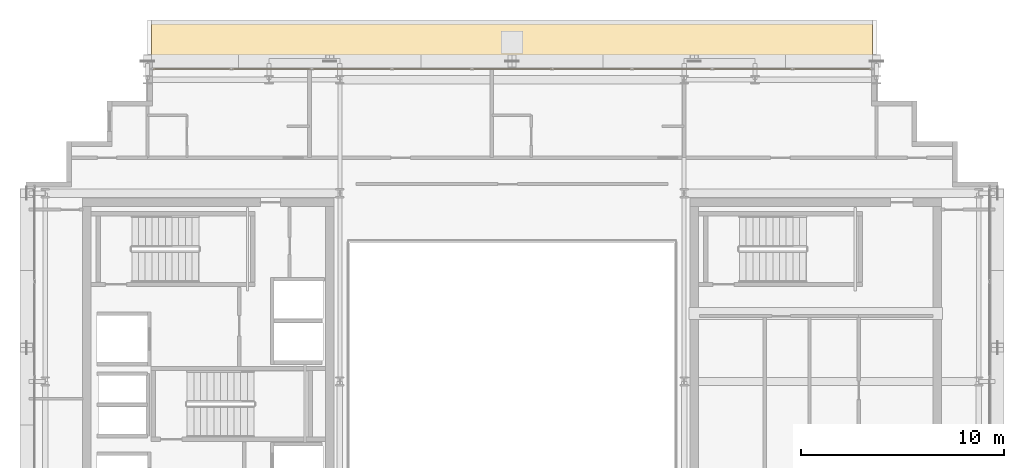
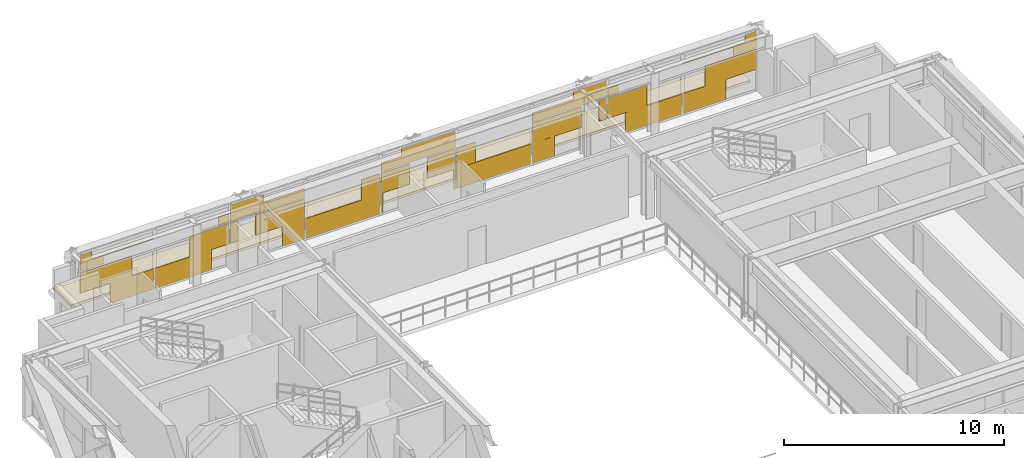
# One storey, part 27 of 27: 2 coverings.
"""IFC4 building model written with IfcOpenShell, lengths in metres."""

from ifc_helpers import new_model, si_unit, direction, frame, origin, origin_2d, place, context, subcontext, project, spatial, polyline, rectangle, outline, extrude, material, layer, layer_set, type_object, element, save


model = new_model("IFC4")

# Units and contexts
model_context = context("Model", 3, precision=1e-05, world=origin(), true_north=direction((0.0, 1.0)))
body_context = subcontext(model_context, "Body", "Model", "MODEL_VIEW")
ifc_project = project(units=[si_unit("LENGTHUNIT", "METRE"), si_unit("AREAUNIT", "SQUARE_METRE"), si_unit("VOLUMEUNIT", "CUBIC_METRE"), si_unit("PLANEANGLEUNIT", "RADIAN"), si_unit("MASSUNIT", "GRAM", prefix="KILO")], contexts=[model_context])

# Site, building, storey
site_placement = place(None, origin())
site = spatial("IfcSite", under=ifc_project, at=site_placement, CompositionType="ELEMENT")
building_placement = place(site_placement, origin())
building = spatial("IfcBuilding", under=site, at=building_placement, Name="Ocotamira Hotel", CompositionType="ELEMENT")
storey_placement = place(building_placement, frame((0.0, 0.0, 232.800048828125)))
storey = spatial("IfcBuildingStorey", under=building, at=storey_placement, Name="L58", CompositionType="ELEMENT", Elevation=232.800048828125)

# Coverings
ifc_material_1 = material(Name="Insulated pale-metal aluminium spandrel panel", Category="aluminium")
ifc_layer_1 = layer(ifc_material_1, 0.044921875)
ifc_layer_set_1 = layer_set([ifc_layer_1], Name="Insulated pale-metal aluminium spandrel panel")
covering_type_1 = type_object("IfcCoveringType", Name="COV-INFILL-45", PredefinedType="CLADDING", material=ifc_layer_set_1)
covering_1_placement = place(storey_placement, origin())
element("IfcCovering", 1, at=covering_1_placement, inside=storey, type_object=covering_type_1, Name="L58 Curtain Wall Infill CW-5 CW-L58-N", PredefinedType="CLADDING", context=body_context, shape_type="SweptSolid", body=[
    extrude(rectangle(XDim=2.69970703125, YDim=0.044921875, at=origin_2d()), frame((15.63037109375, 43.580078125, 1.19384765625), z_axis=(0.0, 0.0, 1.0), x_axis=(1.0, 0.0, 0.0)), (0.0, 0.0, 1.0), 1.117919921875),
    extrude(rectangle(XDim=2.25439453125, YDim=0.044921875, at=origin_2d()), frame((16.98779296875, 43.580078125, 0.0751953125), z_axis=(0.0, 0.0, 1.0), x_axis=(1.0, 0.0, 0.0)), (0.0, 0.0, 1.0), 1.117919921875),
    extrude(rectangle(XDim=1.20751953125, YDim=0.044921875, at=origin_2d()), frame((14.88427734375, 43.580078125, 2.387939453125), z_axis=(0.0, 0.0, 1.0), x_axis=(1.0, 0.0, 0.0)), (0.0, 0.0, 1.0), 0.45263671875),
    extrude(rectangle(XDim=3.834716796875, YDim=0.044921875, at=origin_2d()), frame((16.19775390625, 43.580078125, 2.841552734375), z_axis=(0.0, 0.0, 1.0), x_axis=(1.0, 0.0, 0.0)), (0.0, 0.0, 1.0), 0.0302734375),
    extrude(rectangle(XDim=0.601318359375, YDim=0.044921875, at=origin_2d()), frame((14.581298828125, 43.580078125, 2.872802734375), z_axis=(0.0, 0.0, 1.0), x_axis=(1.0, 0.0, 0.0)), (0.0, 0.0, 1.0), 0.431640625),
    extrude(rectangle(XDim=2.943359375, YDim=0.044921875, at=origin_2d()), frame((19.667724609375, 43.580078125, 0.0751953125), z_axis=(0.0, 0.0, 1.0), x_axis=(1.0, 0.0, 0.0)), (0.0, 0.0, 1.0), 1.117919921875),
    extrude(rectangle(XDim=2.05078125, YDim=0.044921875, at=origin_2d()), frame((21.04541015625, 43.580078125, 1.19384765625), z_axis=(0.0, 0.0, 1.0), x_axis=(1.0, 0.0, 0.0)), (0.0, 0.0, 1.0), 1.117919921875),
    extrude(rectangle(XDim=0.55859375, YDim=0.044921875, at=origin_2d()), frame((21.79150390625, 43.580078125, 2.387939453125), z_axis=(0.0, 0.0, 1.0), x_axis=(1.0, 0.0, 0.0)), (0.0, 0.0, 1.0), 0.48388671875),
    extrude(rectangle(XDim=0.38623046875, YDim=0.044921875, at=origin_2d()), frame((22.3447265625, 43.580078125, 1.19384765625), z_axis=(0.0, 0.0, 1.0), x_axis=(1.0, 0.0, 0.0)), (0.0, 0.0, 1.0), 1.117919921875),
    extrude(rectangle(XDim=2.564208984375, YDim=0.044921875, at=origin_2d()), frame((24.744140625, 43.580078125, 1.19384765625), z_axis=(0.0, 0.0, 1.0), x_axis=(1.0, 0.0, 0.0)), (0.0, 0.0, 1.0), 1.117919921875),
    extrude(rectangle(XDim=1.16552734375, YDim=0.044921875, at=origin_2d()), frame((25.443359375, 43.580078125, 0.0751953125), z_axis=(0.0, 0.0, 1.0), x_axis=(1.0, 0.0, 0.0)), (0.0, 0.0, 1.0), 1.117919921875),
    extrude(rectangle(XDim=3.87451171875, YDim=0.044921875, at=origin_2d()), frame((24.0888671875, 43.580078125, 2.387939453125), z_axis=(0.0, 0.0, 1.0), x_axis=(1.0, 0.0, 0.0)), (0.0, 0.0, 1.0), 0.48388671875),
    extrude(rectangle(XDim=1.730224609375, YDim=0.044921875, at=origin_2d()), frame((23.0166015625, 43.580078125, 2.872802734375), z_axis=(0.0, 0.0, 1.0), x_axis=(1.0, 0.0, 0.0)), (0.0, 0.0, 1.0), 0.431640625),
    extrude(rectangle(XDim=3.87451171875, YDim=0.044921875, at=origin_2d()), frame((28.04443359375, 43.580078125, 0.0751953125), z_axis=(0.0, 0.0, 1.0), x_axis=(1.0, 0.0, 0.0)), (0.0, 0.0, 1.0), 1.117919921875),
    extrude(rectangle(XDim=0.9619140625, YDim=0.044921875, at=origin_2d()), frame((29.500732421875, 43.580078125, 1.19384765625), z_axis=(0.0, 0.0, 1.0), x_axis=(1.0, 0.0, 0.0)), (0.0, 0.0, 1.0), 1.117919921875),
    extrude(rectangle(XDim=0.07666015625, YDim=0.044921875, at=origin_2d()), frame((30.10107421875, 43.580078125, 0.0751953125), z_axis=(0.0, 0.0, 1.0), x_axis=(1.0, 0.0, 0.0)), (0.0, 0.0, 1.0), 1.117919921875),
    extrude(rectangle(XDim=1.47509765625, YDim=0.044921875, at=origin_2d()), frame((30.80029296875, 43.580078125, 1.19384765625), z_axis=(0.0, 0.0, 1.0), x_axis=(1.0, 0.0, 0.0)), (0.0, 0.0, 1.0), 1.117919921875),
    extrude(rectangle(XDim=1.47509765625, YDim=0.044921875, at=origin_2d()), frame((33.19970703125, 43.580078125, 1.19384765625), z_axis=(0.0, 0.0, 1.0), x_axis=(1.0, 0.0, 0.0)), (0.0, 0.0, 1.0), 1.117919921875),
    extrude(rectangle(XDim=0.07666015625, YDim=0.044921875, at=origin_2d()), frame((33.89892578125, 43.580078125, 0.0751953125), z_axis=(0.0, 0.0, 1.0), x_axis=(1.0, 0.0, 0.0)), (0.0, 0.0, 1.0), 1.117919921875),
    extrude(rectangle(XDim=3.87451171875, YDim=0.044921875, at=origin_2d()), frame((32.0, 43.580078125, 2.387939453125), z_axis=(0.0, 0.0, 1.0), x_axis=(1.0, 0.0, 0.0)), (0.0, 0.0, 1.0), 0.48388671875),
    extrude(rectangle(XDim=2.819091796875, YDim=0.044921875, at=origin_2d()), frame((32.527587890625, 43.580078125, 2.872802734375), z_axis=(0.0, 0.0, 1.0), x_axis=(1.0, 0.0, 0.0)), (0.0, 0.0, 1.0), 0.431640625),
    extrude(rectangle(XDim=3.87451171875, YDim=0.044921875, at=origin_2d()), frame((35.95556640625, 43.580078125, 0.0751953125), z_axis=(0.0, 0.0, 1.0), x_axis=(1.0, 0.0, 0.0)), (0.0, 0.0, 1.0), 1.117919921875),
    extrude(rectangle(XDim=0.9619140625, YDim=0.044921875, at=origin_2d()), frame((34.499267578125, 43.580078125, 1.19384765625), z_axis=(0.0, 0.0, 1.0), x_axis=(1.0, 0.0, 0.0)), (0.0, 0.0, 1.0), 1.117919921875),
    extrude(rectangle(XDim=1.16552734375, YDim=0.044921875, at=origin_2d()), frame((38.556640625, 43.580078125, 0.0751953125), z_axis=(0.0, 0.0, 1.0), x_axis=(1.0, 0.0, 0.0)), (0.0, 0.0, 1.0), 1.117919921875),
    extrude(rectangle(XDim=2.564208984375, YDim=0.044921875, at=origin_2d()), frame((39.255859375, 43.580078125, 1.19384765625), z_axis=(0.0, 0.0, 1.0), x_axis=(1.0, 0.0, 0.0)), (0.0, 0.0, 1.0), 1.117919921875),
    extrude(rectangle(XDim=0.38623046875, YDim=0.044921875, at=origin_2d()), frame((41.6552734375, 43.580078125, 1.19384765625), z_axis=(0.0, 0.0, 1.0), x_axis=(1.0, 0.0, 0.0)), (0.0, 0.0, 1.0), 1.117919921875),
    extrude(rectangle(XDim=3.87451171875, YDim=0.044921875, at=origin_2d()), frame((39.9111328125, 43.580078125, 2.387939453125), z_axis=(0.0, 0.0, 1.0), x_axis=(1.0, 0.0, 0.0)), (0.0, 0.0, 1.0), 0.48388671875),
    extrude(rectangle(XDim=1.730224609375, YDim=0.044921875, at=origin_2d()), frame((40.9833984375, 43.580078125, 2.872802734375), z_axis=(0.0, 0.0, 1.0), x_axis=(1.0, 0.0, 0.0)), (0.0, 0.0, 1.0), 0.431640625),
    extrude(rectangle(XDim=2.05078125, YDim=0.044921875, at=origin_2d()), frame((42.95458984375, 43.580078125, 1.19384765625), z_axis=(0.0, 0.0, 1.0), x_axis=(1.0, 0.0, 0.0)), (0.0, 0.0, 1.0), 1.117919921875),
    extrude(rectangle(XDim=2.943359375, YDim=0.044921875, at=origin_2d()), frame((44.332275390625, 43.580078125, 0.0751953125), z_axis=(0.0, 0.0, 1.0), x_axis=(1.0, 0.0, 0.0)), (0.0, 0.0, 1.0), 1.117919921875),
    extrude(rectangle(XDim=0.55859375, YDim=0.044921875, at=origin_2d()), frame((42.20849609375, 43.580078125, 2.387939453125), z_axis=(0.0, 0.0, 1.0), x_axis=(1.0, 0.0, 0.0)), (0.0, 0.0, 1.0), 0.48388671875),
    extrude(rectangle(XDim=2.25439453125, YDim=0.044921875, at=origin_2d()), frame((47.01220703125, 43.580078125, 0.0751953125), z_axis=(0.0, 0.0, 1.0), x_axis=(1.0, 0.0, 0.0)), (0.0, 0.0, 1.0), 1.117919921875),
    extrude(rectangle(XDim=2.69970703125, YDim=0.044921875, at=origin_2d()), frame((48.36962890625, 43.580078125, 1.19384765625), z_axis=(0.0, 0.0, 1.0), x_axis=(1.0, 0.0, 0.0)), (0.0, 0.0, 1.0), 1.117919921875),
    extrude(rectangle(XDim=3.834716796875, YDim=0.044921875, at=origin_2d()), frame((47.80224609375, 43.580078125, 2.841552734375), z_axis=(0.0, 0.0, 1.0), x_axis=(1.0, 0.0, 0.0)), (0.0, 0.0, 1.0), 0.0302734375),
    extrude(rectangle(XDim=1.20751953125, YDim=0.044921875, at=origin_2d()), frame((49.11572265625, 43.580078125, 2.387939453125), z_axis=(0.0, 0.0, 1.0), x_axis=(1.0, 0.0, 0.0)), (0.0, 0.0, 1.0), 0.45263671875),
    extrude(rectangle(XDim=0.601318359375, YDim=0.044921875, at=origin_2d()), frame((49.418701171875, 43.580078125, 2.872802734375), z_axis=(0.0, 0.0, 1.0), x_axis=(1.0, 0.0, 0.0)), (0.0, 0.0, 1.0), 0.431640625),
])
ifc_material_2 = material(Name="High-albedo cool-roof elastomeric membrane and polyiso insulation", Category="concrete")
ifc_layer_2 = layer(ifc_material_2, 0.139892578125)
ifc_layer_set_2 = layer_set([ifc_layer_2], Name="High-albedo cool-roof elastomeric membrane and polyiso insulation")
covering_type_2 = type_object("IfcCoveringType", Name="COV-ROOF-140", PredefinedType="ROOFING", material=ifc_layer_set_2)
covering_2_placement = place(storey_placement, origin())
element("IfcCovering", 2, at=covering_2_placement, inside=storey, type_object=covering_type_2, Name="L58 Cool-Roof Membrane Z4N", PredefinedType="ROOFING", context=body_context, shape_type="SweptSolid", body=[
    extrude(outline(polyline([(14.199951171875, 44.25), (49.800048828125, 44.25), (49.800048828125, 45.8798828125), (14.199951171875, 45.8798828125), (14.199951171875, 44.25)])), origin(), (0.0, 0.0, 1.0), 0.139892578125),
])

save(model, "model.ifc")
